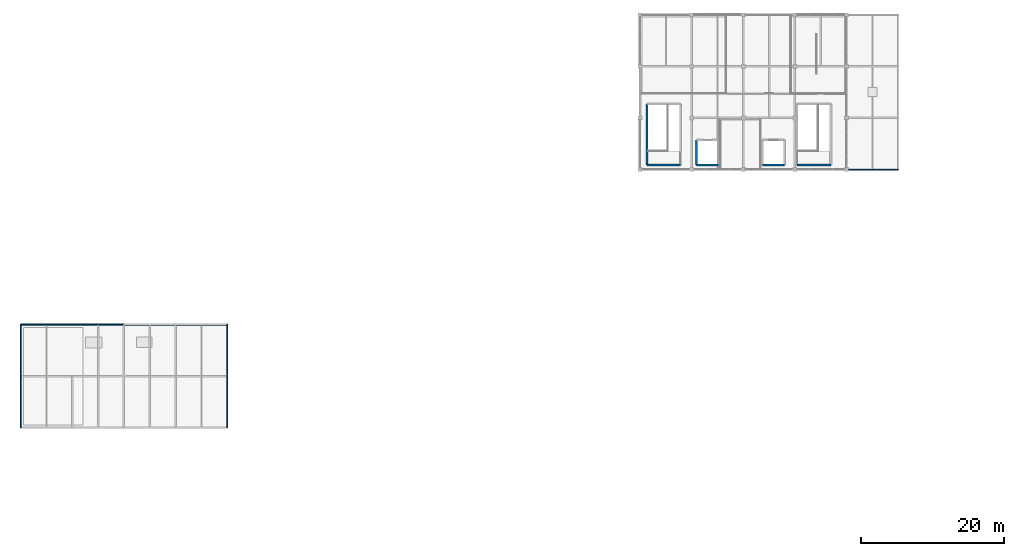
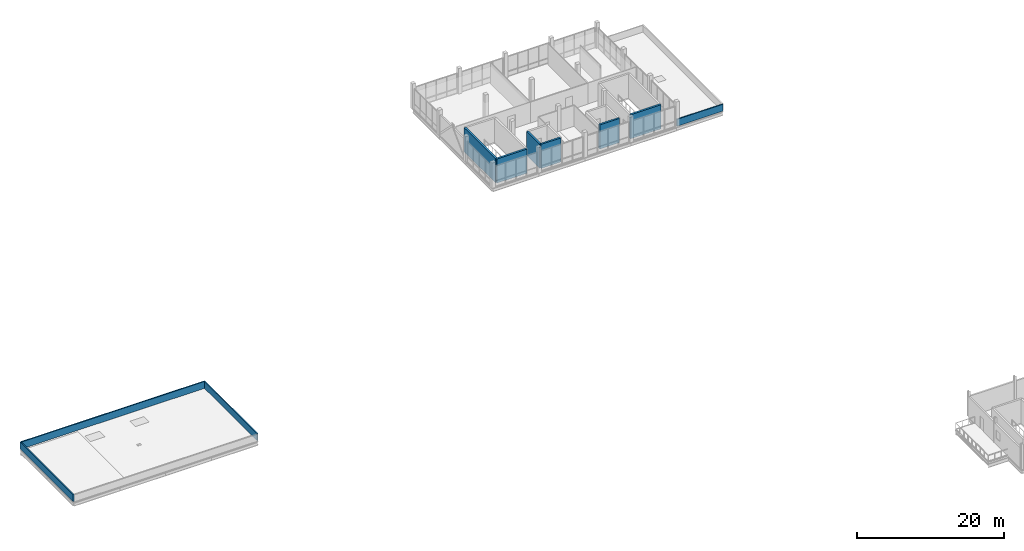
# One storey, part 23 of 28: 10 walls.
"""IFC4 building model written with IfcOpenShell, lengths in metres."""

from ifc_helpers import new_model, si_unit, direction, frame, frame_2d, origin, place, context, subcontext, project, spatial, rectangle, extrude, material, layer, layer_set, type_object, element, save


model = new_model("IFC4")

# Units and contexts
model_context = context("Model", 3, precision=1e-05, world=origin(), true_north=direction((0.0, 1.0)))
body_context = subcontext(model_context, "Body", "Model", "MODEL_VIEW")
ifc_project = project(units=[si_unit("LENGTHUNIT", "METRE"), si_unit("AREAUNIT", "SQUARE_METRE"), si_unit("VOLUMEUNIT", "CUBIC_METRE"), si_unit("PLANEANGLEUNIT", "RADIAN"), si_unit("MASSUNIT", "GRAM", prefix="KILO")], contexts=[model_context])

# Site, building, storey
site_placement = place(None, origin())
site = spatial("IfcSite", under=ifc_project, at=site_placement, CompositionType="ELEMENT")
building_placement = place(site_placement, origin())
building = spatial("IfcBuilding", under=site, at=building_placement, Name="Yarey Park Central Fire Station", CompositionType="ELEMENT")
storey_placement = place(building_placement, frame((0.0, 0.0, 22.199951171875)))
storey = spatial("IfcBuildingStorey", under=building, at=storey_placement, Name="L06", CompositionType="ELEMENT", Elevation=22.199951171875)

# Walls
ifc_material_1 = material(Name="Concrete C35/45", Category="concrete")
ifc_layer_1 = layer(ifc_material_1, 0.1650390625)
ifc_layer_set_1 = layer_set([ifc_layer_1], Name="Concrete C35/45")
wall_type_1 = type_object("IfcWallType", Name="ENV_WALL_PAR165", PredefinedType="PARAPET", material=ifc_layer_set_1)
wall_1_placement = place(storey_placement, frame((144.0, 93.60009765625, 0.0), z_axis=(0.0, 0.0, 1.0), x_axis=(1.0, 0.0, 0.0)))
element("IfcWall", 1, at=wall_1_placement, inside=storey, type_object=wall_type_1, Name="PAR_L06_26", PredefinedType="PARAPET", context=body_context, shape_type="SweptSolid", body=[
    extrude(rectangle(XDim=7.199951171875, YDim=0.1650390625, at=frame_2d((3.60009765625, 0.0))), origin(), (0.0, 0.0, 1.0), 1.150146484375),
])
for number, where, z_axis, x_axis, name in (
    (2, (57.60009765625, 57.60009765625, 0.0), (0.0, 0.0, 1.0), (0.0, 1.0, 0.0), "PAR_L06_30"),
    (3, (28.800048828125, 72.0, 0.0), (0.0, 0.0, 1.0), (0.0, -1.0, 0.0), "PAR_L06_32"),
):
    element("IfcWall", number, at=place(storey_placement, frame(where, z_axis=z_axis, x_axis=x_axis)), inside=storey, type_object=wall_type_1, Name=name, PredefinedType="PARAPET", context=body_context, shape_type="SweptSolid", body=[
        extrude(rectangle(XDim=14.39990234375, YDim=0.1650390625, at=frame_2d((7.199951171875, 0.0))), origin(), (0.0, 0.0, 1.0), 1.150146484375),
    ])
ifc_layer_2 = layer(ifc_material_1, 0.18505859375)
ifc_layer_set_2 = layer_set([ifc_layer_2], Name="Concrete C35/45")
wall_type_2 = type_object("IfcWallType", Name="ENV_WALL_PAR185", PredefinedType="PARAPET", material=ifc_layer_set_2)
wall_2_placement = place(storey_placement, frame((57.60009765625, 72.0, 0.0), z_axis=(0.0, 0.0, 1.0), x_axis=(-1.0, 0.0, 0.0)))
element("IfcWall", 4, at=wall_2_placement, inside=storey, type_object=wall_type_2, Name="PAR_L06_31", PredefinedType="PARAPET", context=body_context, shape_type="SweptSolid", body=[
    extrude(rectangle(XDim=28.800048828125, YDim=0.18505859375, at=frame_2d((14.39990234375, 0.0))), origin(), (0.0, 0.0, 1.0), 1.150146484375),
])
ifc_material_2 = material(Name="Concrete C40/50", Category="concrete")
ifc_layer_3 = layer(ifc_material_2, 0.27001953125)
ifc_layer_set_3 = layer_set([ifc_layer_3], Name="Concrete C40/50")
wall_type_3 = type_object("IfcWallType", Name="INT_CORE_RC270", PredefinedType="SHEAR", material=ifc_layer_set_3)
wall_3_placement = place(storey_placement, frame((123.050048828125, 94.25, 0.0), z_axis=(0.0, 0.0, 1.0), x_axis=(1.0, 0.0, 0.0)))
element("IfcWall", 5, at=wall_3_placement, inside=storey, type_object=wall_type_3, Name="LWALL_C1_L06_S", PredefinedType="SHEAR", context=body_context, shape_type="SweptSolid", body=[
    extrude(rectangle(XDim=3.099853515625, YDim=0.300048828125, at=frame_2d((1.5498046875, 0.0))), origin(), (0.0, 0.0, 1.0), 3.989990234375),
])
wall_4_placement = place(storey_placement, frame((123.050048828125, 97.75, 0.0), z_axis=(0.0, 0.0, 1.0), x_axis=(0.0, -1.0, 0.0)))
element("IfcWall", 6, at=wall_4_placement, inside=storey, type_object=wall_type_3, Name="LWALL_C1_L06_W", PredefinedType="SHEAR", context=body_context, shape_type="SweptSolid", body=[
    extrude(rectangle(XDim=3.5, YDim=0.300048828125, at=frame_2d((1.75, 0.0))), origin(), (0.0, 0.0, 1.0), 3.989990234375),
])
wall_5_placement = place(storey_placement, frame((132.25, 94.25, 0.0), z_axis=(0.0, 0.0, 1.0), x_axis=(1.0, 0.0, 0.0)))
element("IfcWall", 7, at=wall_5_placement, inside=storey, type_object=wall_type_3, Name="LWALL_C2_L06_S", PredefinedType="SHEAR", context=body_context, shape_type="SweptSolid", body=[
    extrude(rectangle(XDim=3.10009765625, YDim=0.300048828125, at=frame_2d((1.550048828125, 0.0))), origin(), (0.0, 0.0, 1.0), 3.989990234375),
])
ifc_layer_4 = layer(ifc_material_2, 0.300048828125)
ifc_layer_set_4 = layer_set([ifc_layer_4], Name="Concrete C40/50")
wall_type_4 = type_object("IfcWallType", Name="INT_CORE_RC300", PredefinedType="SHEAR", material=ifc_layer_set_4)
wall_6_placement = place(storey_placement, frame((116.14990234375, 94.25, 0.0), z_axis=(0.0, 0.0, 1.0), x_axis=(1.0, 0.0, 0.0)))
element("IfcWall", 8, at=wall_6_placement, inside=storey, type_object=wall_type_4, Name="CWALL_C1_L06_S", PredefinedType="SHEAR", context=body_context, shape_type="SweptSolid", body=[
    extrude(rectangle(XDim=4.7001953125, YDim=0.300048828125, at=frame_2d((2.35009765625, 0.0))), origin(), (0.0, 0.0, 1.0), 3.989990234375),
])
wall_7_placement = place(storey_placement, frame((116.14990234375, 102.75, 0.0), z_axis=(0.0, 0.0, 1.0), x_axis=(0.0, -1.0, 0.0)))
element("IfcWall", 9, at=wall_7_placement, inside=storey, type_object=wall_type_4, Name="CWALL_C1_L06_W", PredefinedType="SHEAR", context=body_context, shape_type="SweptSolid", body=[
    extrude(rectangle(XDim=8.5, YDim=0.300048828125, at=frame_2d((4.25, 0.0))), origin(), (0.0, 0.0, 1.0), 3.989990234375),
])
wall_8_placement = place(storey_placement, frame((137.10009765625, 94.25, 0.0), z_axis=(0.0, 0.0, 1.0), x_axis=(1.0, 0.0, 0.0)))
element("IfcWall", 10, at=wall_8_placement, inside=storey, type_object=wall_type_4, Name="CWALL_C2_L06_S", PredefinedType="SHEAR", context=body_context, shape_type="SweptSolid", body=[
    extrude(rectangle(XDim=4.699951171875, YDim=0.300048828125, at=frame_2d((2.35009765625, 0.0))), origin(), (0.0, 0.0, 1.0), 3.989990234375),
])

save(model, "model.ifc")
